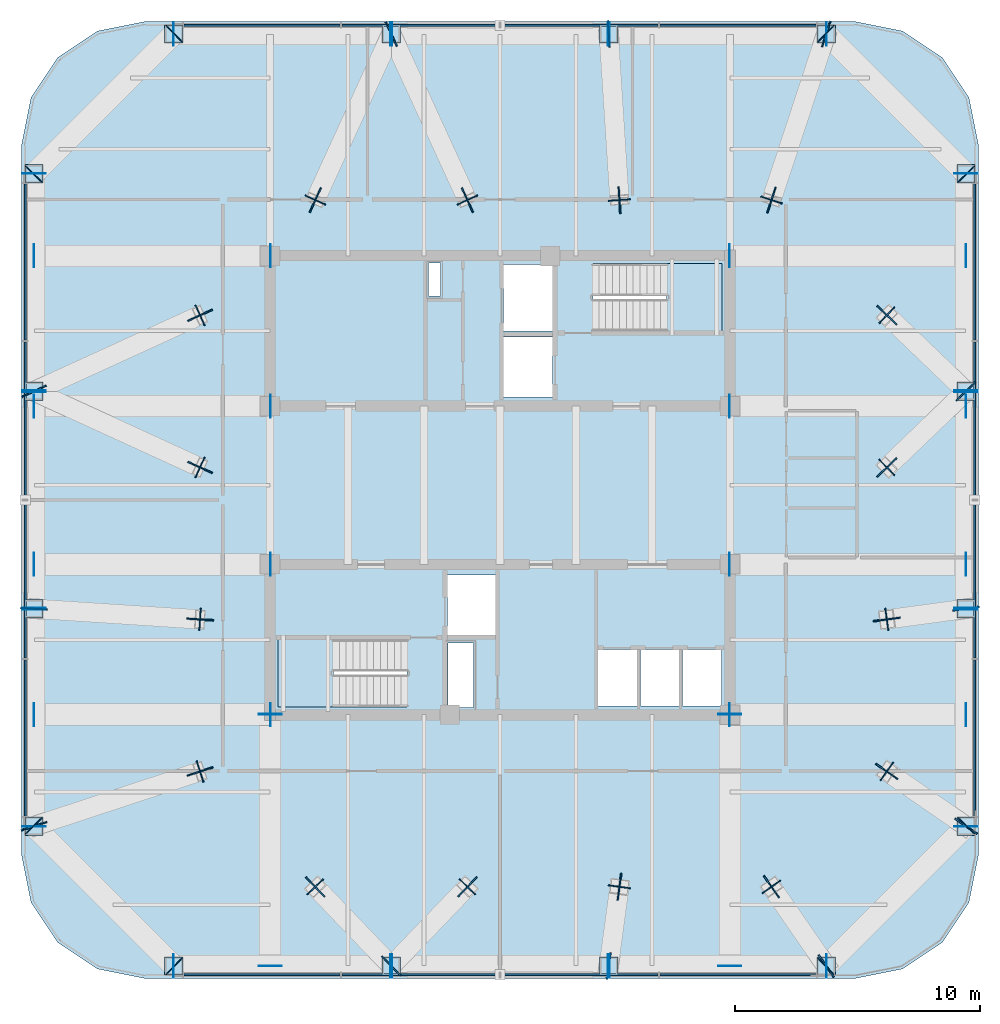
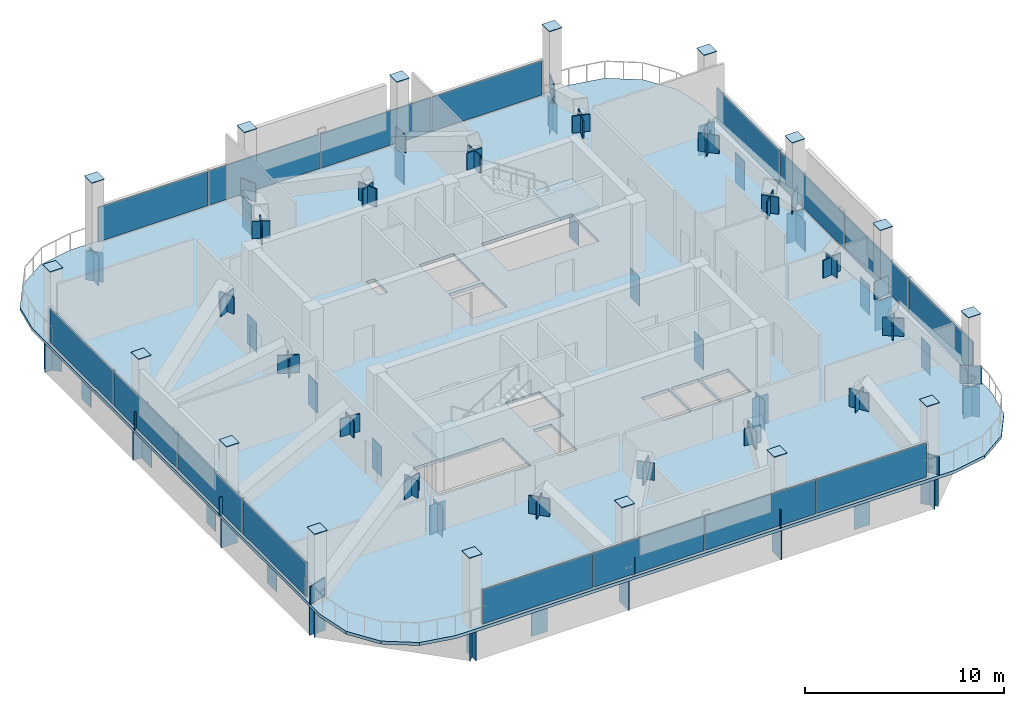
# One storey, part 14 of 19: 128 plates, 3 slabs, 6 elements without a shape of their own.
"""IFC4 building model written with IfcOpenShell, lengths in metres."""

import ifcopenshell
import ifcopenshell.guid

model = None  # the IFC model being written
_history = None  # IfcOwnerHistory: only IFC2X3 demands one
_inside = {}  # id of a spatial element -> (the spatial element, [elements in it])
_under = {}  # id of a project, library or spatial element -> (it, [spatial elements below it])
_declared = {}  # id of a project -> (the project, [libraries it declares])
_typed = {}  # id of a type object -> (the type object, [elements of that type])
_made_of = {}  # id of a material, layer set ... -> (it, [elements and type objects made of it])


def new_model(schema):
    """Start an empty IFC model of exactly this schema.

    Asked for "IFC4X3", IfcOpenShell would pick the latest addendum, in which some entities
    have other attributes; the version numbers below select the first issue.
    IFC2X3 requires an IfcOwnerHistory on every rooted entity: one is made here for all.
    """
    global model, _history
    if schema == "IFC4X3":
        model = ifcopenshell.file(schema_version=(4, 3, 0, 0))
    else:
        model = ifcopenshell.file(schema=schema)
    _inside.clear()
    _under.clear()
    _declared.clear()
    _typed.clear()
    _made_of.clear()
    _history = None
    if model.schema == "IFC2X3":
        org = make("IfcOrganization", Name="unknown")
        user = make(
            "IfcPersonAndOrganization",
            ThePerson=make("IfcPerson", FamilyName="unknown"),
            TheOrganization=org,
        )
        app = make(
            "IfcApplication",
            ApplicationDeveloper=org,
            Version="unknown",
            ApplicationFullName="unknown",
            ApplicationIdentifier="unknown",
        )
        _history = make(
            "IfcOwnerHistory",
            OwningUser=user,
            OwningApplication=app,
            ChangeAction="ADDED",
            CreationDate=0,
        )
    return model


def make(cls, **values):
    """One entity of the class cls with the attributes given. An attribute that is None is left unset."""
    return model.create_entity(
        cls, **{name: value for name, value in values.items() if value is not None}
    )


def rooted(cls, **values):
    """An entity with a GlobalId (a new one), such as an element, a storey or a relation."""
    return make(cls, GlobalId=ifcopenshell.guid.new(), OwnerHistory=_history, **values)


def si_unit(unit_type, name, prefix=None):
    """IfcSIUnit, for example si_unit("LENGTHUNIT", "METRE", prefix="MILLI")."""
    return make("IfcSIUnit", UnitType=unit_type, Prefix=prefix, Name=name)


def assignment(units):
    """IfcUnitAssignment: the units of a project."""
    return None if units is None else make("IfcUnitAssignment", Units=units)


def point(xyz):
    """IfcCartesianPoint."""
    return None if xyz is None else make("IfcCartesianPoint", Coordinates=xyz)


def direction(xyz):
    """IfcDirection."""
    return None if xyz is None else make("IfcDirection", DirectionRatios=xyz)


def frame(location, z_axis=None, x_axis=None):
    """IfcAxis2Placement3D, a coordinate frame: its origin and axes. An axis left out is left unset."""
    return make(
        "IfcAxis2Placement3D",
        Location=point(location),
        Axis=direction(z_axis),
        RefDirection=direction(x_axis),
    )


def frame_2d(location, x_axis=None):
    """IfcAxis2Placement2D, a coordinate frame in the plane: its origin and x axis."""
    return make(
        "IfcAxis2Placement2D", Location=point(location), RefDirection=direction(x_axis)
    )


def origin():
    """The frame at (0, 0, 0) with its axes left unset."""
    return frame((0.0, 0.0, 0.0))


def origin_2d():
    """The frame at (0, 0) in the plane with its x axis left unset."""
    return frame_2d((0.0, 0.0))


def place(relative_to, where):
    """IfcLocalPlacement: puts the frame where relative to a parent placement (None: the world)."""
    return make(
        "IfcLocalPlacement", PlacementRelTo=relative_to, RelativePlacement=where
    )


def context(
    kind, dimensions, precision=None, world=None, true_north=None, identifier=None
):
    """IfcGeometricRepresentationContext, for example the 3D "Model" context."""
    return make(
        "IfcGeometricRepresentationContext",
        ContextIdentifier=identifier,
        ContextType=kind,
        CoordinateSpaceDimension=dimensions,
        Precision=precision,
        WorldCoordinateSystem=world,
        TrueNorth=true_north,
    )


def subcontext(parent, identifier, kind, view, scale=None):
    """IfcGeometricRepresentationSubContext, for example "Body" below "Model"."""
    return make(
        "IfcGeometricRepresentationSubContext",
        ContextIdentifier=identifier,
        ContextType=kind,
        ParentContext=parent,
        TargetScale=scale,
        TargetView=view,
    )


def project(units=None, contexts=None):
    """IfcProject with its units and contexts."""
    return rooted(
        "IfcProject",
        Name="project",
        RepresentationContexts=contexts,
        UnitsInContext=assignment(units),
    )


def spatial(cls, under=None, at=None, **own):
    """A site, building, storey or space (cls), placed at a placement, below another one or the project."""
    s = rooted(cls, ObjectPlacement=at, **own)
    if under is not None:
        _under.setdefault(under.id(), (under, []))[1].append(s)
    return s


def polyline(points):
    """IfcPolyline through the points."""
    return make("IfcPolyline", Points=[point(p) for p in points])


def profile(cls, at=None, kind="AREA", **sizes):
    """A parametric profile (cls). Its sizes go by their IFC names, for example OverallWidth=200.0."""
    return make(cls, ProfileType=kind, Position=at, **sizes)


def rectangle(**sizes):
    """IfcRectangleProfileDef."""
    return profile("IfcRectangleProfileDef", **sizes)


def outline(outer, holes=None, kind="AREA"):
    """IfcArbitraryClosedProfileDef: a profile drawn as a closed curve; with holes, ...WithVoids."""
    if holes is None:
        return make("IfcArbitraryClosedProfileDef", ProfileType=kind, OuterCurve=outer)
    return make(
        "IfcArbitraryProfileDefWithVoids",
        ProfileType=kind,
        OuterCurve=outer,
        InnerCurves=holes,
    )


def extrude(swept, where, along, depth):
    """IfcExtrudedAreaSolid: the profile swept, set in the frame where, extruded along a direction by depth."""
    return make(
        "IfcExtrudedAreaSolid",
        SweptArea=swept,
        Position=where,
        ExtrudedDirection=direction(along),
        Depth=depth,
    )


def shape(context_of_items, identifier, shape_type, items):
    """IfcShapeRepresentation: the items that make up one representation, for example the "Body"."""
    return make(
        "IfcShapeRepresentation",
        ContextOfItems=context_of_items,
        RepresentationIdentifier=identifier,
        RepresentationType=shape_type,
        Items=items,
    )


def material(Name=None, Category=None):
    """IfcMaterial."""
    return make("IfcMaterial", Name=Name, Category=Category)


def layer(
    of_material, thickness, ventilated=None, Name=None, Category=None, Priority=None
):
    """IfcMaterialLayer: one layer of a wall or slab, of a material (None: an air gap)."""
    return make(
        "IfcMaterialLayer",
        Material=of_material,
        LayerThickness=thickness,
        IsVentilated=ventilated,
        Name=Name,
        Category=Category,
        Priority=Priority,
    )


def layer_set(layers, Name=None):
    """IfcMaterialLayerSet."""
    return make("IfcMaterialLayerSet", MaterialLayers=layers, LayerSetName=Name)


def made_of(thing, what):
    """Note that an element or type object is made of a material, layer set ...; save() writes the relation."""
    if what is not None:
        _made_of.setdefault(what.id(), (what, []))[1].append(thing)
    return thing


def type_object(cls, material=None, **own):
    """A type object (cls), such as IfcWallType, which elements share."""
    return made_of(rooted(cls, **own), material)


def element(
    cls,
    number,
    at=None,
    inside=None,
    cuts=None,
    type_object=None,
    material=None,
    context=None,
    identifier="Body",
    shape_type=None,
    held_by="IfcProductDefinitionShape",
    body=None,
    shapes=None,
    **own,
):
    """One element of the class cls, such as IfcWall. Its Tag is "e" and its number.

    at: its placement. inside: the storey or other place that contains it. cuts: it is an
    opening in that element (IfcRelVoidsElement). A single representation is given by context,
    identifier, shape_type and body (its items); several are given by shapes. held_by: the class
    of the entity that holds the representations. save() writes the other relations.
    """
    e = rooted(cls, Tag="e%d" % number, ObjectPlacement=at, **own)
    if body is not None:
        shapes = [shape(context, identifier, shape_type, body)]
    if shapes is not None:
        e.Representation = make(held_by, Representations=shapes)
    if inside is not None:
        _inside.setdefault(inside.id(), (inside, []))[1].append(e)
    if cuts is not None:
        rooted(
            "IfcRelVoidsElement", RelatingBuildingElement=cuts, RelatedOpeningElement=e
        )
    if type_object is not None:
        _typed.setdefault(type_object.id(), (type_object, []))[1].append(e)
    return made_of(e, material)


def aggregate(whole, parts):
    """IfcRelAggregates: a whole, such as a stair, and the parts it consists of."""
    return rooted("IfcRelAggregates", RelatingObject=whole, RelatedObjects=parts)


def save(model, path):
    """Write the relations noted so far, then the file.

    IfcRelAggregates (storeys below a building ...), IfcRelContainedInSpatialStructure (elements
    in a storey), IfcRelDefinesByType, IfcRelAssociatesMaterial and IfcRelDeclares: one each for
    every whole, place, type object, material and project.
    """
    for whole, parts in _under.values():
        aggregate(whole, parts)
    for where, things in _inside.values():
        rooted(
            "IfcRelContainedInSpatialStructure",
            RelatedElements=things,
            RelatingStructure=where,
        )
    for kind, things in _typed.values():
        rooted("IfcRelDefinesByType", RelatedObjects=things, RelatingType=kind)
    for what, things in _made_of.values():
        rooted("IfcRelAssociatesMaterial", RelatedObjects=things, RelatingMaterial=what)
    for by, libraries in _declared.values():
        rooted("IfcRelDeclares", RelatingContext=by, RelatedDefinitions=libraries)
    model.write(path)


model = new_model("IFC4")

# Units and contexts
model_context = context("Model", 3, precision=1e-05, world=origin(), true_north=direction((0.0, 1.0)))
body_context = subcontext(model_context, "Body", "Model", "MODEL_VIEW")
ifc_project = project(units=[si_unit("LENGTHUNIT", "METRE"), si_unit("AREAUNIT", "SQUARE_METRE"), si_unit("VOLUMEUNIT", "CUBIC_METRE"), si_unit("PLANEANGLEUNIT", "RADIAN"), si_unit("MASSUNIT", "GRAM", prefix="KILO")], contexts=[model_context])

# Site, building, storey
site_placement = place(None, origin())
site = spatial("IfcSite", under=ifc_project, at=site_placement, CompositionType="ELEMENT")
building_placement = place(site_placement, origin())
building = spatial("IfcBuilding", under=site, at=building_placement, Name="Qhalaya Broadcast Tower", CompositionType="ELEMENT")
storey_placement = place(building_placement, frame((0.0, 0.0, 226.949951171875)))
storey = spatial("IfcBuildingStorey", under=building, at=storey_placement, Name="L67", CompositionType="ELEMENT", Elevation=226.949951171875)

# Plates
ifc_material_1 = material(Name="Structural Steel ASTM A572 Grade 50", Category="steel")
ifc_layer_1 = layer(ifc_material_1, 0.054931640625, Name="Structural Steel ASTM A572 Grade 50")
ifc_layer_set_1 = layer_set([ifc_layer_1], Name="Structural Steel ASTM A572 Grade 50")
plate_type_1 = type_object("IfcPlateType", Name="Exoskeleton Diamond Node Gusset Plate NP-01", PredefinedType="USERDEFINED", material=ifc_layer_set_1)
for number, where, z_axis, x_axis, name in (
    (1, (-4.433349609375, -19.0, 0.0), (0.0, 0.0, 1.0), (-0.692054989058, 0.721844783953, 0.0), "L67 Strut Foot Gusset Plate 01"),
    (2, (-7.530029296875, -15.77001953125, 2.7099609375), (0.0, 0.0, 1.0), (-0.692054989058, 0.721844783953, 0.0), "L67 Strut Head Gusset Plate 01"),
    (3, (-1.330078125, -15.77001953125, 2.7099609375), (0.0, 0.0, 1.0), (0.692823109356, 0.721107578065, 0.0), "L67 Strut Head Gusset Plate 02"),
    (4, (4.433349609375, -19.0, 0.0), (0.0, 0.0, 1.0), (0.133986185418, 0.990983199715, 0.0), "L67 Strut Foot Gusset Plate 03"),
    (5, (4.8701171875, -15.77001953125, 2.7099609375), (0.0, 0.0, 1.0), (0.133986185418, 0.990983199715, 0.0), "L67 Strut Head Gusset Plate 03"),
    (6, (13.300048828125, -19.0, 0.0), (0.0, 0.0, 1.0), (-0.568145402142, 0.822928187648, 0.0), "L67 Strut Foot Gusset Plate 04"),
    (7, (11.070068359375, -15.77001953125, 2.7099609375), (0.0, 0.0, 1.0), (-0.568145402142, 0.822928187648, 0.0), "L67 Strut Head Gusset Plate 04"),
    (8, (19.0, -13.300048828125, 0.0), (0.0, 0.0, 1.0), (-0.822928187648, 0.568145402142, 0.0), "L67 Strut Foot Gusset Plate 05"),
    (9, (15.77001953125, -11.070068359375, 2.7099609375), (0.0, 0.0, 1.0), (-0.822928187648, 0.568145402142, 0.0), "L67 Strut Head Gusset Plate 05"),
    (10, (19.0, -4.433349609375, 0.0), (0.0, 0.0, 1.0), (-0.990983199715, -0.133986185418, 0.0), "L67 Strut Foot Gusset Plate 06"),
    (11, (15.77001953125, -4.8701171875, 2.7099609375), (0.0, 0.0, 1.0), (-0.990983199715, -0.133986185418, 0.0), "L67 Strut Head Gusset Plate 06"),
    (12, (19.0, 4.433349609375, 0.0), (0.0, 0.0, 1.0), (-0.721107578065, -0.692823109356, 0.0), "L67 Strut Foot Gusset Plate 07"),
    (13, (15.77001953125, 1.330078125, 2.7099609375), (0.0, 0.0, 1.0), (-0.721107578065, -0.692823109356, 0.0), "L67 Strut Head Gusset Plate 07"),
    (14, (15.77001953125, 7.530029296875, 2.7099609375), (0.0, 0.0, 1.0), (-0.721844783953, 0.692054989058, 0.0), "L67 Strut Head Gusset Plate 08"),
    (15, (13.300048828125, 19.0, 0.0), (0.0, 0.0, 1.0), (-0.312865434255, -0.949797462646, 0.0), "L67 Strut Foot Gusset Plate 09"),
    (16, (11.070068359375, 12.22998046875, 2.7099609375), (0.0, 0.0, 1.0), (-0.312865434255, -0.949797462646, 0.0), "L67 Strut Head Gusset Plate 09"),
    (17, (4.433349609375, 19.0, 0.0), (0.0, 0.0, 1.0), (0.064375555239, -0.997925742672, 0.0), "L67 Strut Foot Gusset Plate 10"),
    (18, (4.8701171875, 12.22998046875, 2.7099609375), (0.0, 0.0, 1.0), (0.064375555239, -0.997925742672, 0.0), "L67 Strut Head Gusset Plate 10"),
    (19, (-4.433349609375, 19.0, 0.0), (0.0, 0.0, 1.0), (0.416693347644, -0.909047113207, 0.0), "L67 Strut Foot Gusset Plate 11"),
    (20, (-1.330078125, 12.22998046875, 2.7099609375), (0.0, 0.0, 1.0), (0.416693347644, -0.909047113207, 0.0), "L67 Strut Head Gusset Plate 11"),
    (21, (-7.530029296875, 12.22998046875, 2.7099609375), (0.0, 0.0, 1.0), (-0.41596338363, -0.909381363059, 0.0), "L67 Strut Head Gusset Plate 12"),
    (22, (-19.0, 4.433349609375, 0.0), (0.0, 0.0, 1.0), (0.909381363059, 0.41596338363, 0.0), "L67 Strut Foot Gusset Plate 13"),
    (23, (-12.22998046875, 7.530029296875, 2.7099609375), (0.0, 0.0, 1.0), (0.909381363059, 0.41596338363, 0.0), "L67 Strut Head Gusset Plate 13"),
    (24, (-12.22998046875, 1.330078125, 2.7099609375), (0.0, 0.0, 1.0), (0.909047113207, -0.416693347644, 0.0), "L67 Strut Head Gusset Plate 14"),
    (25, (-19.0, -4.433349609375, 0.0), (0.0, 0.0, 1.0), (0.997925742672, -0.064375555239, 0.0), "L67 Strut Foot Gusset Plate 15"),
    (26, (-12.22998046875, -4.8701171875, 2.7099609375), (0.0, 0.0, 1.0), (0.997925742672, -0.064375555239, 0.0), "L67 Strut Head Gusset Plate 15"),
    (27, (-19.0, -13.300048828125, 0.0), (0.0, 0.0, 1.0), (0.949797462646, 0.312865434255, 0.0), "L67 Strut Foot Gusset Plate 16"),
    (28, (-12.22998046875, -11.070068359375, 2.7099609375), (0.0, 0.0, 1.0), (0.949797462646, 0.312865434255, 0.0), "L67 Strut Head Gusset Plate 16"),
):
    element("IfcPlate", number, at=place(storey_placement, frame(where, z_axis=z_axis, x_axis=x_axis)), inside=storey, type_object=plate_type_1, Name=name, ObjectType="GUSSET_PLATE", PredefinedType="USERDEFINED", context=body_context, shape_type="SweptSolid", body=[
        extrude(rectangle(XDim=1.10009765625, YDim=0.06005859375, at=origin_2d()), origin(), (0.0, 0.0, 1.0), 1.10009765625),
    ])
ifc_layer_2 = layer(ifc_material_1, 0.4599609375, Name="Structural Steel ASTM A572 Grade 50")
ifc_layer_set_2 = layer_set([ifc_layer_2], Name="Structural Steel ASTM A572 Grade 50")
plate_type_2 = type_object("IfcPlateType", Name="Hollow Box Member End Cap Plate CP-01", PredefinedType="USERDEFINED", material=ifc_layer_set_2)
for number, where, z_axis, x_axis, name in (
    (29, (-13.31591796875, -19.0, -2.009765625), (0.0, 0.0, 1.0), (0.0, 1.0, 0.0), "L67 Hollow Girder End Cap L67-SPR-01-A"),
    (30, (-4.417236328125, -19.0, -2.009765625), (0.0, 0.0, 1.0), (0.0, 1.0, 0.0), "L67 Hollow Girder End Cap L67-SPR-01-B"),
    (31, (-4.44921875, -19.0, -2.009765625), (0.0, 0.0, 1.0), (0.0, 1.0, 0.0), "L67 Hollow Girder End Cap L67-SPR-02-A"),
    (32, (4.44921875, -19.0, -2.009765625), (0.0, 0.0, 1.0), (0.0, 1.0, 0.0), "L67 Hollow Girder End Cap L67-SPR-02-B"),
    (33, (4.417236328125, -19.0, -2.009765625), (0.0, 0.0, 1.0), (0.0, 1.0, 0.0), "L67 Hollow Girder End Cap L67-SPR-03-A"),
    (34, (13.31591796875, -19.0, -2.009765625), (0.0, 0.0, 1.0), (0.0, 1.0, 0.0), "L67 Hollow Girder End Cap L67-SPR-03-B"),
    (35, (13.288818359375, -19.01123046875, -2.009765625), (0.0, 0.0, 1.0), (-0.707106781187, 0.707106781187, 0.0), "L67 Hollow Girder End Cap L67-SPR-04-A"),
    (36, (19.01123046875, -13.288818359375, -2.009765625), (0.0, 0.0, 1.0), (-0.707106781187, 0.707106781187, 0.0), "L67 Hollow Girder End Cap L67-SPR-04-B"),
    (37, (19.0, -13.31591796875, -2.009765625), (0.0, 0.0, 1.0), (-1.0, 0.0, 0.0), "L67 Hollow Girder End Cap L67-SPR-05-A"),
    (38, (19.0, -4.417236328125, -2.009765625), (0.0, 0.0, 1.0), (-1.0, 0.0, 0.0), "L67 Hollow Girder End Cap L67-SPR-05-B"),
    (39, (19.0, -4.44921875, -2.009765625), (0.0, 0.0, 1.0), (-1.0, 0.0, 0.0), "L67 Hollow Girder End Cap L67-SPR-06-A"),
    (40, (19.0, 4.44921875, -2.009765625), (0.0, 0.0, 1.0), (-1.0, 0.0, 0.0), "L67 Hollow Girder End Cap L67-SPR-06-B"),
    (41, (19.0, 4.417236328125, -2.009765625), (0.0, 0.0, 1.0), (-1.0, 0.0, 0.0), "L67 Hollow Girder End Cap L67-SPR-07-A"),
    (42, (19.0, 13.31591796875, -2.009765625), (0.0, 0.0, 1.0), (-1.0, 0.0, 0.0), "L67 Hollow Girder End Cap L67-SPR-07-B"),
    (43, (19.01123046875, 13.288818359375, -2.009765625), (0.0, 0.0, 1.0), (-0.707106781187, -0.707106781187, 0.0), "L67 Hollow Girder End Cap L67-SPR-08-A"),
    (44, (13.288818359375, 19.01123046875, -2.009765625), (0.0, 0.0, 1.0), (-0.707106781187, -0.707106781187, 0.0), "L67 Hollow Girder End Cap L67-SPR-08-B"),
    (45, (13.31591796875, 19.0, -2.009765625), (0.0, 0.0, 1.0), (0.0, -1.0, 0.0), "L67 Hollow Girder End Cap L67-SPR-09-A"),
    (46, (4.417236328125, 19.0, -2.009765625), (0.0, 0.0, 1.0), (0.0, -1.0, 0.0), "L67 Hollow Girder End Cap L67-SPR-09-B"),
    (47, (4.44921875, 19.0, -2.009765625), (0.0, 0.0, 1.0), (0.0, -1.0, 0.0), "L67 Hollow Girder End Cap L67-SPR-10-A"),
    (48, (-4.44921875, 19.0, -2.009765625), (0.0, 0.0, 1.0), (0.0, -1.0, 0.0), "L67 Hollow Girder End Cap L67-SPR-10-B"),
    (49, (-4.417236328125, 19.0, -2.009765625), (0.0, 0.0, 1.0), (0.0, -1.0, 0.0), "L67 Hollow Girder End Cap L67-SPR-11-A"),
    (50, (-13.31591796875, 19.0, -2.009765625), (0.0, 0.0, 1.0), (0.0, -1.0, 0.0), "L67 Hollow Girder End Cap L67-SPR-11-B"),
    (51, (-13.288818359375, 19.01123046875, -2.009765625), (0.0, 0.0, 1.0), (0.707106781187, -0.707106781187, 0.0), "L67 Hollow Girder End Cap L67-SPR-12-A"),
    (52, (-19.01123046875, 13.288818359375, -2.009765625), (0.0, 0.0, 1.0), (0.707106781187, -0.707106781187, 0.0), "L67 Hollow Girder End Cap L67-SPR-12-B"),
    (53, (-19.0, 13.31591796875, -2.009765625), (0.0, 0.0, 1.0), (1.0, 0.0, 0.0), "L67 Hollow Girder End Cap L67-SPR-13-A"),
    (54, (-19.0, 4.417236328125, -2.009765625), (0.0, 0.0, 1.0), (1.0, 0.0, 0.0), "L67 Hollow Girder End Cap L67-SPR-13-B"),
    (55, (-19.0, 4.44921875, -2.009765625), (0.0, 0.0, 1.0), (1.0, 0.0, 0.0), "L67 Hollow Girder End Cap L67-SPR-14-A"),
    (56, (-19.0, -4.44921875, -2.009765625), (0.0, 0.0, 1.0), (1.0, 0.0, 0.0), "L67 Hollow Girder End Cap L67-SPR-14-B"),
    (57, (-19.0, -4.417236328125, -2.009765625), (0.0, 0.0, 1.0), (1.0, 0.0, 0.0), "L67 Hollow Girder End Cap L67-SPR-15-A"),
    (58, (-19.0, -13.31591796875, -2.009765625), (0.0, 0.0, 1.0), (1.0, 0.0, 0.0), "L67 Hollow Girder End Cap L67-SPR-15-B"),
    (59, (-19.01123046875, -13.288818359375, -2.009765625), (0.0, 0.0, 1.0), (0.707106781187, 0.707106781187, 0.0), "L67 Hollow Girder End Cap L67-SPR-16-A"),
    (60, (-13.288818359375, -19.01123046875, -2.009765625), (0.0, 0.0, 1.0), (0.707106781187, 0.707106781187, 0.0), "L67 Hollow Girder End Cap L67-SPR-16-B"),
    (61, (-9.375, -18.99609375, -2.009765625), (0.0, 0.0, 1.0), (-1.0, 0.0, 0.0), "L67 Hollow Girder End Cap L67-PGXS1-1-A"),
    (62, (-9.375, -8.73388671875, -2.009765625), (0.0, 0.0, 1.0), (-1.0, 0.0, 0.0), "L67 Hollow Girder End Cap L67-PGXS1-1-B"),
    (63, (9.375, -18.99609375, -2.009765625), (0.0, 0.0, 1.0), (-1.0, 0.0, 0.0), "L67 Hollow Girder End Cap L67-PGXS2-1-A"),
    (64, (9.375, -8.73388671875, -2.009765625), (0.0, 0.0, 1.0), (-1.0, 0.0, 0.0), "L67 Hollow Girder End Cap L67-PGXS2-1-B"),
    (65, (-18.99609375, -8.75, -2.009765625), (0.0, 0.0, 1.0), (0.0, 1.0, 0.0), "L67 Hollow Girder End Cap L67-PGYW1-1-A"),
    (66, (-9.35888671875, -8.75, -2.009765625), (0.0, 0.0, 1.0), (0.0, 1.0, 0.0), "L67 Hollow Girder End Cap L67-PGYW1-1-B"),
    (67, (9.35888671875, -8.75, -2.009765625), (0.0, 0.0, 1.0), (0.0, 1.0, 0.0), "L67 Hollow Girder End Cap L67-PGYE1-1-A"),
    (68, (18.99609375, -8.75, -2.009765625), (0.0, 0.0, 1.0), (0.0, 1.0, 0.0), "L67 Hollow Girder End Cap L67-PGYE1-1-B"),
    (69, (-18.99609375, -2.625, -2.009765625), (0.0, 0.0, 1.0), (0.0, 1.0, 0.0), "L67 Hollow Girder End Cap L67-PGYW2-1-A"),
    (70, (-9.35888671875, -2.625, -2.009765625), (0.0, 0.0, 1.0), (0.0, 1.0, 0.0), "L67 Hollow Girder End Cap L67-PGYW2-1-B"),
    (71, (9.35888671875, -2.625, -2.009765625), (0.0, 0.0, 1.0), (0.0, 1.0, 0.0), "L67 Hollow Girder End Cap L67-PGYE2-1-A"),
    (72, (18.99609375, -2.625, -2.009765625), (0.0, 0.0, 1.0), (0.0, 1.0, 0.0), "L67 Hollow Girder End Cap L67-PGYE2-1-B"),
    (73, (-18.99609375, 3.824951171875, -2.009765625), (0.0, 0.0, 1.0), (0.0, 1.0, 0.0), "L67 Hollow Girder End Cap L67-PGYW3-1-A"),
    (74, (-9.35888671875, 3.824951171875, -2.009765625), (0.0, 0.0, 1.0), (0.0, 1.0, 0.0), "L67 Hollow Girder End Cap L67-PGYW3-1-B"),
    (75, (9.35888671875, 3.824951171875, -2.009765625), (0.0, 0.0, 1.0), (0.0, 1.0, 0.0), "L67 Hollow Girder End Cap L67-PGYE3-1-A"),
    (76, (18.99609375, 3.824951171875, -2.009765625), (0.0, 0.0, 1.0), (0.0, 1.0, 0.0), "L67 Hollow Girder End Cap L67-PGYE3-1-B"),
    (77, (-18.99609375, 9.949951171875, -2.009765625), (0.0, 0.0, 1.0), (0.0, 1.0, 0.0), "L67 Hollow Girder End Cap L67-PGYW4-1-A"),
    (78, (-9.35888671875, 9.949951171875, -2.009765625), (0.0, 0.0, 1.0), (0.0, 1.0, 0.0), "L67 Hollow Girder End Cap L67-PGYW4-1-B"),
    (79, (9.35888671875, 9.949951171875, -2.009765625), (0.0, 0.0, 1.0), (0.0, 1.0, 0.0), "L67 Hollow Girder End Cap L67-PGYE4-1-A"),
    (80, (18.99609375, 9.949951171875, -2.009765625), (0.0, 0.0, 1.0), (0.0, 1.0, 0.0), "L67 Hollow Girder End Cap L67-PGYE4-1-B"),
):
    element("IfcPlate", number, at=place(storey_placement, frame(where, z_axis=z_axis, x_axis=x_axis)), inside=storey, type_object=plate_type_2, Name=name, ObjectType="COVER_PLATE", PredefinedType="USERDEFINED", context=body_context, shape_type="SweptSolid", body=[
        extrude(rectangle(XDim=0.93994140625, YDim=0.031982421875, at=origin_2d()), origin(), (0.0, 0.0, 1.0), 1.840087890625),
    ])
for number, where, z_axis, x_axis, name in (
    (81, (-13.300048828125, -19.0, 4.35009765625), (0.0, 0.0, 1.0), (1.0, 0.0, 0.0), "L67 Hollow Box Column Top Cap Plate COL-EX01"),
    (82, (-4.433349609375, -19.0, 4.35009765625), (0.0, 0.0, 1.0), (1.0, 0.0, 0.0), "L67 Hollow Box Column Top Cap Plate COL-EX02"),
    (83, (4.433349609375, -19.0, 4.35009765625), (0.0, 0.0, 1.0), (1.0, 0.0, 0.0), "L67 Hollow Box Column Top Cap Plate COL-EX03"),
    (84, (13.300048828125, -19.0, 4.35009765625), (0.0, 0.0, 1.0), (1.0, 0.0, 0.0), "L67 Hollow Box Column Top Cap Plate COL-EX04"),
    (85, (19.0, -13.300048828125, 4.35009765625), (0.0, 0.0, 1.0), (0.0, 1.0, 0.0), "L67 Hollow Box Column Top Cap Plate COL-EX05"),
    (86, (19.0, -4.433349609375, 4.35009765625), (0.0, 0.0, 1.0), (0.0, 1.0, 0.0), "L67 Hollow Box Column Top Cap Plate COL-EX06"),
    (87, (19.0, 4.433349609375, 4.35009765625), (0.0, 0.0, 1.0), (0.0, 1.0, 0.0), "L67 Hollow Box Column Top Cap Plate COL-EX07"),
    (88, (19.0, 13.300048828125, 4.35009765625), (0.0, 0.0, 1.0), (0.0, 1.0, 0.0), "L67 Hollow Box Column Top Cap Plate COL-EX08"),
    (89, (13.300048828125, 19.0, 4.35009765625), (0.0, 0.0, 1.0), (1.0, 0.0, 0.0), "L67 Hollow Box Column Top Cap Plate COL-EX09"),
    (90, (4.433349609375, 19.0, 4.35009765625), (0.0, 0.0, 1.0), (1.0, 0.0, 0.0), "L67 Hollow Box Column Top Cap Plate COL-EX10"),
    (91, (-4.433349609375, 19.0, 4.35009765625), (0.0, 0.0, 1.0), (1.0, 0.0, 0.0), "L67 Hollow Box Column Top Cap Plate COL-EX11"),
    (92, (-13.300048828125, 19.0, 4.35009765625), (0.0, 0.0, 1.0), (1.0, 0.0, 0.0), "L67 Hollow Box Column Top Cap Plate COL-EX12"),
    (93, (-19.0, 13.300048828125, 4.35009765625), (0.0, 0.0, 1.0), (0.0, 1.0, 0.0), "L67 Hollow Box Column Top Cap Plate COL-EX13"),
    (94, (-19.0, 4.433349609375, 4.35009765625), (0.0, 0.0, 1.0), (0.0, 1.0, 0.0), "L67 Hollow Box Column Top Cap Plate COL-EX14"),
    (95, (-19.0, -4.433349609375, 4.35009765625), (0.0, 0.0, 1.0), (0.0, 1.0, 0.0), "L67 Hollow Box Column Top Cap Plate COL-EX15"),
    (96, (-19.0, -13.300048828125, 4.35009765625), (0.0, 0.0, 1.0), (0.0, 1.0, 0.0), "L67 Hollow Box Column Top Cap Plate COL-EX16"),
):
    element("IfcPlate", number, at=place(storey_placement, frame(where, z_axis=z_axis, x_axis=x_axis)), inside=storey, type_object=plate_type_2, Name=name, ObjectType="COVER_PLATE", PredefinedType="USERDEFINED", context=body_context, shape_type="SweptSolid", body=[
        extrude(rectangle(XDim=0.739990234375, YDim=0.739990234375, at=origin_2d()), origin(), (0.0, 0.0, 1.0), 0.031982421875),
    ])

# Curtain wall, plates
ifc_material_2 = material(Name="Fired Architectural Terracotta", Category="masonry")
ifc_layer_3 = layer(ifc_material_2, 0.219970703125, Name="Fired Architectural Terracotta")
ifc_layer_set_3 = layer_set([ifc_layer_3], Name="Fired Architectural Terracotta")
curtain_wall_type = type_object("IfcCurtainWallType", Name="Block-Cap Unitised Terracotta Spandrel Wall CW-07", PredefinedType="NOTDEFINED", material=ifc_layer_set_3)
curtain_wall_1_placement = place(storey_placement, origin())
curtain_wall_1 = element("IfcCurtainWall", 97, at=curtain_wall_1_placement, inside=storey, type_object=curtain_wall_type, Name="L67 Unitised Curtain Wall L67-CW-S", PredefinedType="NOTDEFINED")
ifc_layer_4 = layer(ifc_material_2, 0.080078125, Name="Fired Architectural Terracotta")
ifc_layer_set_4 = layer_set([ifc_layer_4], Name="Fired Architectural Terracotta")
plate_type_3 = type_object("IfcPlateType", Name="Insulated Terracotta Spandrel Panel TSP-07", PredefinedType="CURTAIN_PANEL", material=ifc_layer_set_4)
plate_1_placement = place(storey_placement, frame((9.70263671875, -19.360107421875, 0.074951171875), z_axis=(0.0, 0.0, 1.0), x_axis=(-1.0, 0.0, 0.0)))
plate_1 = element("IfcPlate", 98, at=plate_1_placement, type_object=plate_type_3, Name="CW-07 panel 1.1", PredefinedType="CURTAIN_PANEL", context=body_context, shape_type="SweptSolid", body=[
    extrude(rectangle(XDim=6.368408203125, YDim=0.080078125, at=origin_2d()), origin(), (0.0, 0.0, 1.0), 2.10009765625),
])
plate_2_placement = place(storey_placement, frame((3.240478515625, -19.360107421875, 0.074951171875), z_axis=(0.0, 0.0, 1.0), x_axis=(-1.0, 0.0, 0.0)))
plate_2 = element("IfcPlate", 99, at=plate_2_placement, type_object=plate_type_3, Name="CW-07 panel 2.1", PredefinedType="CURTAIN_PANEL", context=body_context, shape_type="SweptSolid", body=[
    extrude(rectangle(XDim=6.406005859375, YDim=0.080078125, at=origin_2d()), origin(), (0.0, 0.0, 1.0), 2.10009765625),
])
plate_3_placement = place(storey_placement, frame((-3.240478515625, -19.360107421875, 0.074951171875), z_axis=(0.0, 0.0, 1.0), x_axis=(-1.0, 0.0, 0.0)))
plate_3 = element("IfcPlate", 100, at=plate_3_placement, type_object=plate_type_3, Name="CW-07 panel 3.1", PredefinedType="CURTAIN_PANEL", context=body_context, shape_type="SweptSolid", body=[
    extrude(rectangle(XDim=6.406005859375, YDim=0.080078125, at=origin_2d()), origin(), (0.0, 0.0, 1.0), 2.10009765625),
])
plate_4_placement = place(storey_placement, frame((-9.70263671875, -19.360107421875, 0.074951171875), z_axis=(0.0, 0.0, 1.0), x_axis=(-1.0, 0.0, 0.0)))
plate_4 = element("IfcPlate", 101, at=plate_4_placement, type_object=plate_type_3, Name="CW-07 panel 4.1", PredefinedType="CURTAIN_PANEL", context=body_context, shape_type="SweptSolid", body=[
    extrude(rectangle(XDim=6.368408203125, YDim=0.080078125, at=origin_2d()), origin(), (0.0, 0.0, 1.0), 2.10009765625),
])
aggregate(curtain_wall_1, [plate_1, plate_2, plate_3, plate_4])

curtain_wall_2_placement = place(storey_placement, origin())
curtain_wall_2 = element("IfcCurtainWall", 102, at=curtain_wall_2_placement, inside=storey, type_object=curtain_wall_type, Name="L67 Unitised Curtain Wall L67-CW-E", PredefinedType="NOTDEFINED")
plate_5_placement = place(storey_placement, frame((19.360107421875, 9.70263671875, 0.074951171875), z_axis=(0.0, 0.0, 1.0), x_axis=(0.0, -1.0, 0.0)))
plate_5 = element("IfcPlate", 103, at=plate_5_placement, type_object=plate_type_3, Name="CW-07 panel 1.1", PredefinedType="CURTAIN_PANEL", context=body_context, shape_type="SweptSolid", body=[
    extrude(rectangle(XDim=6.368408203125, YDim=0.080078125, at=origin_2d()), origin(), (0.0, 0.0, 1.0), 2.10009765625),
])
plate_6_placement = place(storey_placement, frame((19.360107421875, 3.240478515625, 0.074951171875), z_axis=(0.0, 0.0, 1.0), x_axis=(0.0, -1.0, 0.0)))
plate_6 = element("IfcPlate", 104, at=plate_6_placement, type_object=plate_type_3, Name="CW-07 panel 2.1", PredefinedType="CURTAIN_PANEL", context=body_context, shape_type="SweptSolid", body=[
    extrude(rectangle(XDim=6.406005859375, YDim=0.080078125, at=origin_2d()), origin(), (0.0, 0.0, 1.0), 2.10009765625),
])
plate_7_placement = place(storey_placement, frame((19.360107421875, -3.240478515625, 0.074951171875), z_axis=(0.0, 0.0, 1.0), x_axis=(0.0, -1.0, 0.0)))
plate_7 = element("IfcPlate", 105, at=plate_7_placement, type_object=plate_type_3, Name="CW-07 panel 3.1", PredefinedType="CURTAIN_PANEL", context=body_context, shape_type="SweptSolid", body=[
    extrude(rectangle(XDim=6.406005859375, YDim=0.080078125, at=origin_2d()), origin(), (0.0, 0.0, 1.0), 2.10009765625),
])
plate_8_placement = place(storey_placement, frame((19.360107421875, -9.70263671875, 0.074951171875), z_axis=(0.0, 0.0, 1.0), x_axis=(0.0, -1.0, 0.0)))
plate_8 = element("IfcPlate", 106, at=plate_8_placement, type_object=plate_type_3, Name="CW-07 panel 4.1", PredefinedType="CURTAIN_PANEL", context=body_context, shape_type="SweptSolid", body=[
    extrude(rectangle(XDim=6.368408203125, YDim=0.080078125, at=origin_2d()), origin(), (0.0, 0.0, 1.0), 2.10009765625),
])
aggregate(curtain_wall_2, [plate_5, plate_6, plate_7, plate_8])

curtain_wall_3_placement = place(storey_placement, origin())
curtain_wall_3 = element("IfcCurtainWall", 107, at=curtain_wall_3_placement, inside=storey, type_object=curtain_wall_type, Name="L67 Unitised Curtain Wall L67-CW-N", PredefinedType="NOTDEFINED")
plate_9_placement = place(storey_placement, frame((-9.70263671875, 19.360107421875, 0.074951171875), z_axis=(0.0, 0.0, 1.0), x_axis=(1.0, 0.0, 0.0)))
plate_9 = element("IfcPlate", 108, at=plate_9_placement, type_object=plate_type_3, Name="CW-07 panel 1.1", PredefinedType="CURTAIN_PANEL", context=body_context, shape_type="SweptSolid", body=[
    extrude(rectangle(XDim=6.368408203125, YDim=0.080078125, at=origin_2d()), origin(), (0.0, 0.0, 1.0), 2.10009765625),
])
plate_10_placement = place(storey_placement, frame((-3.240478515625, 19.360107421875, 0.074951171875), z_axis=(0.0, 0.0, 1.0), x_axis=(1.0, 0.0, 0.0)))
plate_10 = element("IfcPlate", 109, at=plate_10_placement, type_object=plate_type_3, Name="CW-07 panel 2.1", PredefinedType="CURTAIN_PANEL", context=body_context, shape_type="SweptSolid", body=[
    extrude(rectangle(XDim=6.406005859375, YDim=0.080078125, at=origin_2d()), origin(), (0.0, 0.0, 1.0), 2.10009765625),
])
plate_11_placement = place(storey_placement, frame((3.240478515625, 19.360107421875, 0.074951171875), z_axis=(0.0, 0.0, 1.0), x_axis=(1.0, 0.0, 0.0)))
plate_11 = element("IfcPlate", 110, at=plate_11_placement, type_object=plate_type_3, Name="CW-07 panel 3.1", PredefinedType="CURTAIN_PANEL", context=body_context, shape_type="SweptSolid", body=[
    extrude(rectangle(XDim=6.406005859375, YDim=0.080078125, at=origin_2d()), origin(), (0.0, 0.0, 1.0), 2.10009765625),
])
plate_12_placement = place(storey_placement, frame((9.70263671875, 19.360107421875, 0.074951171875), z_axis=(0.0, 0.0, 1.0), x_axis=(1.0, 0.0, 0.0)))
plate_12 = element("IfcPlate", 111, at=plate_12_placement, type_object=plate_type_3, Name="CW-07 panel 4.1", PredefinedType="CURTAIN_PANEL", context=body_context, shape_type="SweptSolid", body=[
    extrude(rectangle(XDim=6.368408203125, YDim=0.080078125, at=origin_2d()), origin(), (0.0, 0.0, 1.0), 2.10009765625),
])
aggregate(curtain_wall_3, [plate_9, plate_10, plate_11, plate_12])

curtain_wall_4_placement = place(storey_placement, origin())
curtain_wall_4 = element("IfcCurtainWall", 112, at=curtain_wall_4_placement, inside=storey, type_object=curtain_wall_type, Name="L67 Unitised Curtain Wall L67-CW-W", PredefinedType="NOTDEFINED")
plate_13_placement = place(storey_placement, frame((-19.360107421875, -9.70263671875, 0.074951171875), z_axis=(0.0, 0.0, 1.0), x_axis=(0.0, 1.0, 0.0)))
plate_13 = element("IfcPlate", 113, at=plate_13_placement, type_object=plate_type_3, Name="CW-07 panel 1.1", PredefinedType="CURTAIN_PANEL", context=body_context, shape_type="SweptSolid", body=[
    extrude(rectangle(XDim=6.368408203125, YDim=0.080078125, at=origin_2d()), origin(), (0.0, 0.0, 1.0), 2.10009765625),
])
plate_14_placement = place(storey_placement, frame((-19.360107421875, -3.240478515625, 0.074951171875), z_axis=(0.0, 0.0, 1.0), x_axis=(0.0, 1.0, 0.0)))
plate_14 = element("IfcPlate", 114, at=plate_14_placement, type_object=plate_type_3, Name="CW-07 panel 2.1", PredefinedType="CURTAIN_PANEL", context=body_context, shape_type="SweptSolid", body=[
    extrude(rectangle(XDim=6.406005859375, YDim=0.080078125, at=origin_2d()), origin(), (0.0, 0.0, 1.0), 2.10009765625),
])
plate_15_placement = place(storey_placement, frame((-19.360107421875, 3.240478515625, 0.074951171875), z_axis=(0.0, 0.0, 1.0), x_axis=(0.0, 1.0, 0.0)))
plate_15 = element("IfcPlate", 115, at=plate_15_placement, type_object=plate_type_3, Name="CW-07 panel 3.1", PredefinedType="CURTAIN_PANEL", context=body_context, shape_type="SweptSolid", body=[
    extrude(rectangle(XDim=6.406005859375, YDim=0.080078125, at=origin_2d()), origin(), (0.0, 0.0, 1.0), 2.10009765625),
])
plate_16_placement = place(storey_placement, frame((-19.360107421875, 9.70263671875, 0.074951171875), z_axis=(0.0, 0.0, 1.0), x_axis=(0.0, 1.0, 0.0)))
plate_16 = element("IfcPlate", 116, at=plate_16_placement, type_object=plate_type_3, Name="CW-07 panel 4.1", PredefinedType="CURTAIN_PANEL", context=body_context, shape_type="SweptSolid", body=[
    extrude(rectangle(XDim=6.368408203125, YDim=0.080078125, at=origin_2d()), origin(), (0.0, 0.0, 1.0), 2.10009765625),
])
aggregate(curtain_wall_4, [plate_13, plate_14, plate_15, plate_16])

# Stair, slab
ifc_material_3 = material(Name="Concrete C40/50", Category="concrete")
stair_type = type_object("IfcStairType", Name="Protected Dogleg Core Stair 4200", PredefinedType="TWO_STRAIGHT_RUN_STAIR", material=ifc_material_3)
stair_1_placement = place(storey_placement, origin())
stair_1 = element("IfcStair", 117, at=stair_1_placement, inside=storey, type_object=stair_type, Name="L67 North Core Exit Stair ST-1", PredefinedType="TWO_STRAIGHT_RUN_STAIR")
ifc_layer_5 = layer(ifc_material_3, 0.199951171875, Name="Concrete C40/50")
ifc_layer_set_5 = layer_set([ifc_layer_5], Name="Concrete C40/50")
slab_type_1 = type_object("IfcSlabType", Name="Stair & Ramp Half-Landing Slab 200", PredefinedType="LANDING", material=ifc_layer_set_5)
slab_1_placement = place(storey_placement, frame((0.0, 0.0, 1.97509765625)))
slab_1 = element("IfcSlab", 118, at=slab_1_placement, type_object=slab_type_1, Name="ST-1 landing 1", PredefinedType="LANDING", context=body_context, shape_type="SweptSolid", body=[
    extrude(outline(polyline([(6.794921875, 6.8798828125), (9.050048828125, 6.8798828125), (9.050048828125, 9.639892578125), (6.794921875, 9.639892578125), (6.794921875, 6.8798828125)])), origin(), (0.0, 0.0, 1.0), 0.199951171875),
])
aggregate(stair_1, [slab_1])

stair_2_placement = place(storey_placement, origin())
stair_2 = element("IfcStair", 119, at=stair_2_placement, inside=storey, type_object=stair_type, Name="L67 South Core Exit Stair ST-2", PredefinedType="TWO_STRAIGHT_RUN_STAIR")
slab_2_placement = place(storey_placement, frame((0.0, 0.0, 1.97509765625)))
slab_2 = element("IfcSlab", 120, at=slab_2_placement, type_object=slab_type_1, Name="ST-2 landing 1", PredefinedType="LANDING", context=body_context, shape_type="SweptSolid", body=[
    extrude(outline(polyline([(-6.794921875, -5.679931640625), (-9.050048828125, -5.679931640625), (-9.050048828125, -8.43994140625), (-6.794921875, -8.43994140625), (-6.794921875, -5.679931640625)])), origin(), (0.0, 0.0, 1.0), 0.199951171875),
])
aggregate(stair_2, [slab_2])

# Plates
ifc_layer_6 = layer(ifc_material_1, 0.044921875, Name="Structural Steel ASTM A572 Grade 50")
ifc_layer_set_6 = layer_set([ifc_layer_6], Name="Structural Steel ASTM A572 Grade 50")
plate_type_4 = type_object("IfcPlateType", Name="Transfer Girder Web Stiffener Plate WS-01", PredefinedType="USERDEFINED", material=ifc_layer_set_6)
for number, where, z_axis, x_axis, name in (
    (121, (-7.530029296875, -15.77001953125, 2.73486328125), (0.0, 0.0, 1.0), (-0.721844783953, -0.692054989058, 0.0), "L67 Strut Head Cross Diaphragm Plate 01"),
    (122, (-1.330078125, -15.77001953125, 2.73486328125), (0.0, 0.0, 1.0), (-0.721107578065, 0.692823109356, 0.0), "L67 Strut Head Cross Diaphragm Plate 02"),
    (123, (4.8701171875, -15.77001953125, 2.73486328125), (0.0, 0.0, 1.0), (-0.990983199715, 0.133986185418, 0.0), "L67 Strut Head Cross Diaphragm Plate 03"),
    (124, (11.070068359375, -15.77001953125, 2.73486328125), (0.0, 0.0, 1.0), (-0.822928187648, -0.568145402142, 0.0), "L67 Strut Head Cross Diaphragm Plate 04"),
    (125, (15.77001953125, -11.070068359375, 2.73486328125), (0.0, 0.0, 1.0), (-0.568145402142, -0.822928187648, 0.0), "L67 Strut Head Cross Diaphragm Plate 05"),
    (126, (15.77001953125, -4.8701171875, 2.73486328125), (0.0, 0.0, 1.0), (0.133986185418, -0.990983199715, 0.0), "L67 Strut Head Cross Diaphragm Plate 06"),
    (127, (15.77001953125, 1.330078125, 2.73486328125), (0.0, 0.0, 1.0), (0.692823109356, -0.721107578065, 0.0), "L67 Strut Head Cross Diaphragm Plate 07"),
    (128, (15.77001953125, 7.530029296875, 2.73486328125), (0.0, 0.0, 1.0), (-0.692054989058, -0.721844783953, 0.0), "L67 Strut Head Cross Diaphragm Plate 08"),
    (129, (11.070068359375, 12.22998046875, 2.73486328125), (0.0, 0.0, 1.0), (0.949797462646, -0.312865434255, 0.0), "L67 Strut Head Cross Diaphragm Plate 09"),
    (130, (4.8701171875, 12.22998046875, 2.73486328125), (0.0, 0.0, 1.0), (0.997925742672, 0.064375555239, 0.0), "L67 Strut Head Cross Diaphragm Plate 10"),
    (131, (-1.330078125, 12.22998046875, 2.73486328125), (0.0, 0.0, 1.0), (0.909047113207, 0.416693347644, 0.0), "L67 Strut Head Cross Diaphragm Plate 11"),
    (132, (-7.530029296875, 12.22998046875, 2.73486328125), (0.0, 0.0, 1.0), (0.909381363059, -0.41596338363, 0.0), "L67 Strut Head Cross Diaphragm Plate 12"),
    (133, (-12.22998046875, 7.530029296875, 2.73486328125), (0.0, 0.0, 1.0), (-0.41596338363, 0.909381363059, 0.0), "L67 Strut Head Cross Diaphragm Plate 13"),
    (134, (-12.22998046875, 1.330078125, 2.73486328125), (0.0, 0.0, 1.0), (0.416693347644, 0.909047113207, 0.0), "L67 Strut Head Cross Diaphragm Plate 14"),
    (135, (-12.22998046875, -4.8701171875, 2.73486328125), (0.0, 0.0, 1.0), (0.064375555239, 0.997925742672, 0.0), "L67 Strut Head Cross Diaphragm Plate 15"),
    (136, (-12.22998046875, -11.070068359375, 2.73486328125), (0.0, 0.0, 1.0), (-0.312865434255, 0.949797462646, 0.0), "L67 Strut Head Cross Diaphragm Plate 16"),
):
    element("IfcPlate", number, at=place(storey_placement, frame(where, z_axis=z_axis, x_axis=x_axis)), inside=storey, type_object=plate_type_4, Name=name, ObjectType="STIFFENER_PLATE", PredefinedType="USERDEFINED", context=body_context, shape_type="SweptSolid", body=[
        extrude(rectangle(XDim=0.89990234375, YDim=0.044921875, at=origin_2d()), origin(), (0.0, 0.0, 1.0), 1.050048828125),
    ])

# Slab
ifc_layer_7 = layer(ifc_material_3, 0.18994140625, Name="Concrete C40/50")
ifc_layer_set_7 = layer_set([ifc_layer_7], Name="Concrete C40/50")
slab_type_2 = type_object("IfcSlabType", Name="Upper Tower Composite Floor Slab 190", PredefinedType="FLOOR", material=ifc_layer_set_7)
slab_3_placement = place(storey_placement, frame((0.0, 0.0, -0.18994140625)))
element("IfcSlab", 137, at=slab_3_placement, inside=storey, type_object=slab_type_2, Name="L67 Main Structural Floor Slab", PredefinedType="FLOOR", context=body_context, shape_type="SweptSolid", body=[
    extrude(outline(polyline([(14.5, -19.5), (16.413330078125, -19.119384765625), (18.035400390625, -18.035400390625), (19.119384765625, -16.413330078125), (19.5, -14.5), (19.5, 14.5), (19.119384765625, 16.413330078125), (18.035400390625, 18.035400390625), (16.413330078125, 19.119384765625), (14.5, 19.5), (-14.5, 19.5), (-16.413330078125, 19.119384765625), (-18.035400390625, 18.035400390625), (-19.119384765625, 16.413330078125), (-19.5, 14.5), (-19.5, -14.5), (-19.119384765625, -16.413330078125), (-18.035400390625, -18.035400390625), (-16.413330078125, -19.119384765625), (-14.5, -19.5), (14.5, -19.5)]), holes=[polyline([(3.784912109375, 9.639892578125), (9.050048828125, 9.639892578125), (9.050048828125, 6.8798828125), (3.784912109375, 6.8798828125), (3.784912109375, 9.639892578125)]), polyline([(-3.784912109375, -8.43994140625), (-9.050048828125, -8.43994140625), (-9.050048828125, -5.679931640625), (-3.784912109375, -5.679931640625), (-3.784912109375, -8.43994140625)]), polyline([(0.14990234375, 6.64990234375), (2.14990234375, 6.64990234375), (2.14990234375, 4.199951171875), (0.14990234375, 4.199951171875), (0.14990234375, 6.64990234375)]), polyline([(0.14990234375, 9.60009765625), (2.14990234375, 9.60009765625), (2.14990234375, 6.89990234375), (0.14990234375, 6.89990234375), (0.14990234375, 9.60009765625)]), polyline([(-2.14990234375, -3.050048828125), (-0.14990234375, -3.050048828125), (-0.14990234375, -5.5), (-2.14990234375, -5.5), (-2.14990234375, -3.050048828125)]), polyline([(4.0, -6.10009765625), (5.60009765625, -6.10009765625), (5.60009765625, -8.39990234375), (4.0, -8.39990234375), (4.0, -6.10009765625)]), polyline([(5.719970703125, -6.10009765625), (7.320068359375, -6.10009765625), (7.320068359375, -8.39990234375), (5.719970703125, -8.39990234375), (5.719970703125, -6.10009765625)]), polyline([(7.43994140625, -6.10009765625), (9.0400390625, -6.10009765625), (9.0400390625, -8.39990234375), (7.43994140625, -8.39990234375), (7.43994140625, -6.10009765625)]), polyline([(-2.919921875, 9.659912109375), (-2.419921875, 9.659912109375), (-2.419921875, 8.320068359375), (-2.919921875, 8.320068359375), (-2.919921875, 9.659912109375)]), polyline([(-2.1201171875, -5.820068359375), (-1.080078125, -5.820068359375), (-1.080078125, -8.4599609375), (-2.1201171875, -8.4599609375), (-2.1201171875, -5.820068359375)])]), origin(), (0.0, 0.0, 1.0), 0.18994140625),
])

save(model, "model.ifc")
